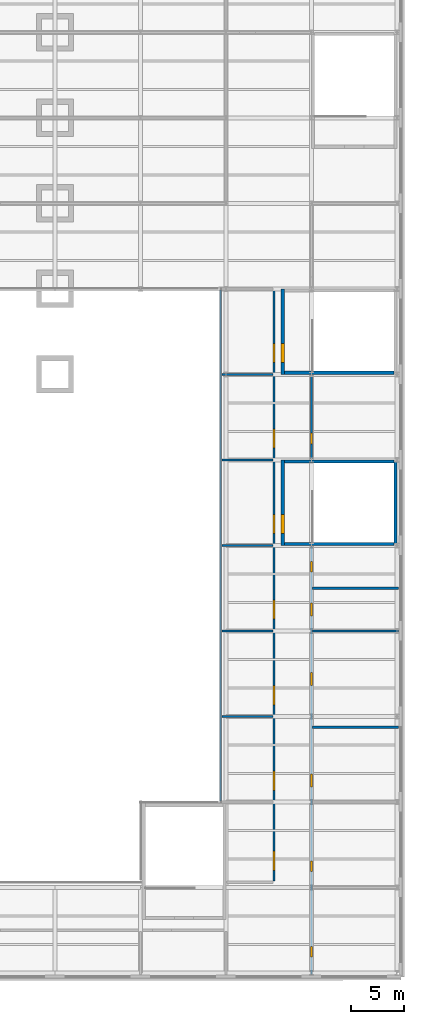
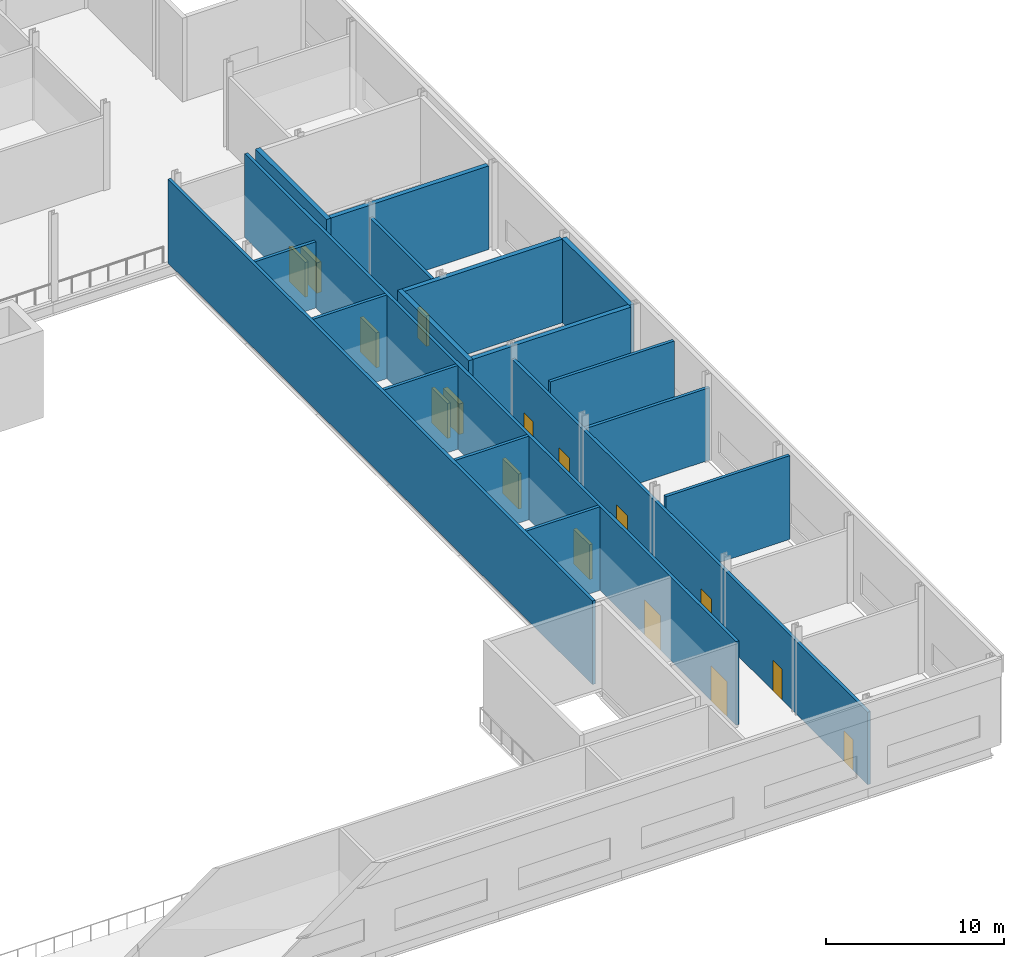
# One storey, part 13 of 21: 18 walls, 16 doors, 16 openings.
"""IFC4 building model written with IfcOpenShell, lengths in metres."""

from ifc_helpers import new_model, si_unit, direction, frame, frame_2d, origin, place, context, subcontext, project, spatial, rectangle, extrude, material, layer, layer_set, type_object, element, fill, save


model = new_model("IFC4")

# Units and contexts
model_context = context("Model", 3, precision=1e-05, world=origin(), true_north=direction((0.0, 1.0)))
body_context = subcontext(model_context, "Body", "Model", "MODEL_VIEW")
ifc_project = project(units=[si_unit("LENGTHUNIT", "METRE"), si_unit("AREAUNIT", "SQUARE_METRE"), si_unit("VOLUMEUNIT", "CUBIC_METRE"), si_unit("PLANEANGLEUNIT", "RADIAN"), si_unit("MASSUNIT", "GRAM", prefix="KILO")], contexts=[model_context])

# Site, building, storey
site_placement = place(None, origin())
site = spatial("IfcSite", under=ifc_project, at=site_placement, CompositionType="ELEMENT")
building_placement = place(site_placement, origin())
building = spatial("IfcBuilding", under=site, at=building_placement, Name="Daluyong Arena Tower", CompositionType="ELEMENT")
storey_placement = place(building_placement, frame((0.0, 0.0, 19.89990234375)))
storey = spatial("IfcBuildingStorey", under=building, at=storey_placement, Name="L04", CompositionType="ELEMENT", Elevation=19.89990234375)

# Walls
ifc_material_1 = material(Name="Concrete block partition", Category="concrete")
ifc_layer_1 = layer(ifc_material_1, 0.199951171875)
ifc_layer_set_1 = layer_set([ifc_layer_1], Name="Concrete block partition")
wall_type_1 = type_object("IfcWallType", Name="Partition 200", PredefinedType="PARTITIONING", material=ifc_layer_set_1)
wall_1_placement = place(storey_placement, frame((104.10009765625, 23.0, 0.0), z_axis=(0.0, 0.0, 1.0), x_axis=(1.0, 0.0, 0.0)))
element("IfcWall", 1, at=wall_1_placement, inside=storey, type_object=wall_type_1, Name="partition at L04", PredefinedType="PARTITIONING", context=body_context, shape_type="SweptSolid", body=[
    extrude(rectangle(XDim=8.0498046875, YDim=0.199951171875, at=frame_2d((4.02490234375, 0.0))), origin(), (0.0, 0.0, 1.0), 5.75),
])
for number, where, z_axis, x_axis, name in (
    (2, (95.60009765625, 24.0, 0.0), (0.0, 0.0, 1.0), (1.0, 0.0, 0.0), "partition at L04"),
    (3, (95.60009765625, 32.0, 0.0), (0.0, 0.0, 1.0), (1.0, 0.0, 0.0), "partition at L04"),
):
    element("IfcWall", number, at=place(storey_placement, frame(where, z_axis=z_axis, x_axis=x_axis)), inside=storey, type_object=wall_type_1, Name=name, PredefinedType="PARTITIONING", context=body_context, shape_type="SweptSolid", body=[
        extrude(rectangle(XDim=4.7998046875, YDim=0.199951171875, at=frame_2d((2.39990234375, 0.0))), origin(), (0.0, 0.0, 1.0), 5.75),
    ])
wall_2_placement = place(storey_placement, frame((104.10009765625, 32.0, 0.0), z_axis=(0.0, 0.0, 1.0), x_axis=(1.0, 0.0, 0.0)))
element("IfcWall", 4, at=wall_2_placement, inside=storey, type_object=wall_type_1, Name="partition at L04", PredefinedType="PARTITIONING", context=body_context, shape_type="SweptSolid", body=[
    extrude(rectangle(XDim=8.0498046875, YDim=0.199951171875, at=frame_2d((4.02490234375, 0.0))), origin(), (0.0, 0.0, 1.0), 4.977783203125),
])
wall_3_placement = place(storey_placement, frame((104.10009765625, 36.0, 0.0), z_axis=(0.0, 0.0, 1.0), x_axis=(1.0, 0.0, 0.0)))
element("IfcWall", 5, at=wall_3_placement, inside=storey, type_object=wall_type_1, Name="partition at L04", PredefinedType="PARTITIONING", context=body_context, shape_type="SweptSolid", body=[
    extrude(rectangle(XDim=8.0498046875, YDim=0.199951171875, at=frame_2d((4.02490234375, 0.0))), origin(), (0.0, 0.0, 1.0), 5.75),
])
for number, where, z_axis, x_axis, name in (
    (6, (95.60009765625, 40.0, 0.0), (0.0, 0.0, 1.0), (1.0, 0.0, 0.0), "partition at L04"),
    (7, (95.60009765625, 48.0, 0.0), (0.0, 0.0, 1.0), (1.0, 0.0, 0.0), "partition at L04"),
):
    element("IfcWall", number, at=place(storey_placement, frame(where, z_axis=z_axis, x_axis=x_axis)), inside=storey, type_object=wall_type_1, Name=name, PredefinedType="PARTITIONING", context=body_context, shape_type="SweptSolid", body=[
        extrude(rectangle(XDim=4.7998046875, YDim=0.199951171875, at=frame_2d((2.39990234375, 0.0))), origin(), (0.0, 0.0, 1.0), 5.75),
    ])
wall_4_placement = place(storey_placement, frame((95.60009765625, 56.0, 0.0), z_axis=(0.0, 0.0, 1.0), x_axis=(1.0, 0.0, 0.0)))
element("IfcWall", 8, at=wall_4_placement, inside=storey, type_object=wall_type_1, Name="partition at L04", PredefinedType="PARTITIONING", context=body_context, shape_type="SweptSolid", body=[
    extrude(rectangle(XDim=4.7998046875, YDim=0.199951171875, at=frame_2d((2.39990234375, 0.0))), origin(), (0.0, 0.0, 1.0), 4.550048828125),
])
wall_5_placement = place(storey_placement, frame((95.5, 16.10009765625, 0.0), z_axis=(0.0, 0.0, 1.0), x_axis=(0.0, 1.0, 0.0)))
element("IfcWall", 9, at=wall_5_placement, inside=storey, type_object=wall_type_1, Name="partition at L04", PredefinedType="PARTITIONING", context=body_context, shape_type="SweptSolid", body=[
    extrude(rectangle(XDim=47.7998046875, YDim=0.199951171875, at=frame_2d((23.89990234375, 0.0))), origin(), (0.0, 0.0, 1.0), 5.75),
])

# Wall, openings, doors
wall_6_placement = place(storey_placement, frame((100.5, 8.60009765625, 0.0), z_axis=(0.0, 0.0, 1.0), x_axis=(0.0, 1.0, 0.0)))
wall_6 = element("IfcWall", 10, at=wall_6_placement, inside=storey, type_object=wall_type_1, Name="partition at L04", PredefinedType="PARTITIONING", context=body_context, shape_type="SweptSolid", body=[
    extrude(rectangle(XDim=55.2998046875, YDim=0.199951171875, at=frame_2d((27.64990234375, 0.0))), origin(), (0.0, 0.0, 1.0), 5.75),
])
opening_1_placement = place(wall_6_placement, frame((1.0, 0.0, 0.0)))
opening_1 = element("IfcOpeningElement", 11, at=opening_1_placement, cuts=wall_6, Name="Opening 04044", PredefinedType="OPENING", context=body_context, shape_type="SweptSolid", body=[
    extrude(rectangle(XDim=1.800048828125, YDim=2.39990234375, at=frame_2d((0.89990234375, 1.199951171875))), frame((0.0, 0.10986328125, 0.0), z_axis=(0.0, -1.0, 0.0), x_axis=(1.0, 0.0, 0.0)), (0.0, 0.0, 1.0), 0.219970703125),
])
opening_2_placement = place(wall_6_placement, frame((8.5, 0.0, 0.0)))
opening_2 = element("IfcOpeningElement", 12, at=opening_2_placement, cuts=wall_6, Name="Opening 04051", PredefinedType="OPENING", context=body_context, shape_type="SweptSolid", body=[
    extrude(rectangle(XDim=1.800048828125, YDim=2.39990234375, at=frame_2d((0.89990234375, 1.199951171875))), frame((0.0, 0.10986328125, 0.0), z_axis=(0.0, -1.0, 0.0), x_axis=(1.0, 0.0, 0.0)), (0.0, 0.0, 1.0), 0.219970703125),
])
opening_3_placement = place(wall_6_placement, frame((16.5, 0.0, 0.0)))
opening_3 = element("IfcOpeningElement", 13, at=opening_3_placement, cuts=wall_6, Name="Opening 04052", PredefinedType="OPENING", context=body_context, shape_type="SweptSolid", body=[
    extrude(rectangle(XDim=1.800048828125, YDim=2.39990234375, at=frame_2d((0.89990234375, 1.199951171875))), frame((0.0, 0.10986328125, 0.0), z_axis=(0.0, -1.0, 0.0), x_axis=(1.0, 0.0, 0.0)), (0.0, 0.0, 1.0), 0.219970703125),
])
opening_4_placement = place(wall_6_placement, frame((24.5, 0.0, 0.0)))
opening_4 = element("IfcOpeningElement", 14, at=opening_4_placement, cuts=wall_6, Name="Opening 04053", PredefinedType="OPENING", context=body_context, shape_type="SweptSolid", body=[
    extrude(rectangle(XDim=1.800048828125, YDim=2.39990234375, at=frame_2d((0.89990234375, 1.199951171875))), frame((0.0, 0.10986328125, 0.0), z_axis=(0.0, -1.0, 0.0), x_axis=(1.0, 0.0, 0.0)), (0.0, 0.0, 1.0), 0.219970703125),
])
opening_5_placement = place(wall_6_placement, frame((32.5, 0.0, 0.0)))
opening_5 = element("IfcOpeningElement", 15, at=opening_5_placement, cuts=wall_6, Name="Opening 04054", PredefinedType="OPENING", context=body_context, shape_type="SweptSolid", body=[
    extrude(rectangle(XDim=1.800048828125, YDim=2.39990234375, at=frame_2d((0.89990234375, 1.199951171875))), frame((0.0, 0.10986328125, 0.0), z_axis=(0.0, -1.0, 0.0), x_axis=(1.0, 0.0, 0.0)), (0.0, 0.0, 1.0), 0.219970703125),
])
opening_6_placement = place(wall_6_placement, frame((40.5, 0.0, 0.0)))
opening_6 = element("IfcOpeningElement", 16, at=opening_6_placement, cuts=wall_6, Name="Opening 04055", PredefinedType="OPENING", context=body_context, shape_type="SweptSolid", body=[
    extrude(rectangle(XDim=1.800048828125, YDim=2.39990234375, at=frame_2d((0.89990234375, 1.199951171875))), frame((0.0, 0.10986328125, 0.0), z_axis=(0.0, -1.0, 0.0), x_axis=(1.0, 0.0, 0.0)), (0.0, 0.0, 1.0), 0.219970703125),
])
opening_7_placement = place(wall_6_placement, frame((48.5, 0.0, 0.0)))
opening_7 = element("IfcOpeningElement", 17, at=opening_7_placement, cuts=wall_6, Name="Opening 04056", PredefinedType="OPENING", context=body_context, shape_type="SweptSolid", body=[
    extrude(rectangle(XDim=1.800048828125, YDim=2.39990234375, at=frame_2d((0.89990234375, 1.199951171875))), frame((0.0, 0.10986328125, 0.0), z_axis=(0.0, -1.0, 0.0), x_axis=(1.0, 0.0, 0.0)), (0.0, 0.0, 1.0), 0.219970703125),
])
ifc_material_2 = material(Name="Timber door", Category="wood")
door_type_1 = type_object("IfcDoorType", Name="Assembly double door 1800", OperationType="DOUBLE_DOOR_DOUBLE_SWING", PredefinedType="DOOR", material=ifc_material_2)
door_1_placement = place(opening_1_placement, origin())
door_1 = element("IfcDoor", 18, at=door_1_placement, inside=storey, type_object=door_type_1, Name="party suite door 04044", OperationType="DOUBLE_DOOR_DOUBLE_SWING", OverallHeight=2.39990234375, OverallWidth=1.800048828125, PredefinedType="DOOR", context=body_context, shape_type="SweptSolid", body=[
    extrude(rectangle(XDim=1.800048828125, YDim=2.39990234375, at=frame_2d((0.89990234375, 1.199951171875))), frame((0.0, 0.099609375, 0.0), z_axis=(0.0, -1.0, 0.0), x_axis=(1.0, 0.0, 0.0)), (0.0, 0.0, 1.0), 0.199462890625),
])
fill(opening_1, door_1)
door_2_placement = place(opening_2_placement, origin())
door_2 = element("IfcDoor", 19, at=door_2_placement, inside=storey, type_object=door_type_1, Name="party suite door 04051", OperationType="DOUBLE_DOOR_DOUBLE_SWING", OverallHeight=2.39990234375, OverallWidth=1.800048828125, PredefinedType="DOOR", context=body_context, shape_type="SweptSolid", body=[
    extrude(rectangle(XDim=1.800048828125, YDim=2.39990234375, at=frame_2d((0.89990234375, 1.199951171875))), frame((0.0, 0.099609375, 0.0), z_axis=(0.0, -1.0, 0.0), x_axis=(1.0, 0.0, 0.0)), (0.0, 0.0, 1.0), 0.199462890625),
])
fill(opening_2, door_2)
door_3_placement = place(opening_3_placement, origin())
door_3 = element("IfcDoor", 20, at=door_3_placement, inside=storey, type_object=door_type_1, Name="party suite door 04052", OperationType="DOUBLE_DOOR_DOUBLE_SWING", OverallHeight=2.39990234375, OverallWidth=1.800048828125, PredefinedType="DOOR", context=body_context, shape_type="SweptSolid", body=[
    extrude(rectangle(XDim=1.800048828125, YDim=2.39990234375, at=frame_2d((0.89990234375, 1.199951171875))), frame((0.0, 0.099609375, 0.0), z_axis=(0.0, -1.0, 0.0), x_axis=(1.0, 0.0, 0.0)), (0.0, 0.0, 1.0), 0.199462890625),
])
fill(opening_3, door_3)
door_4_placement = place(opening_4_placement, origin())
door_4 = element("IfcDoor", 21, at=door_4_placement, inside=storey, type_object=door_type_1, Name="party suite door 04053", OperationType="DOUBLE_DOOR_DOUBLE_SWING", OverallHeight=2.39990234375, OverallWidth=1.800048828125, PredefinedType="DOOR", context=body_context, shape_type="SweptSolid", body=[
    extrude(rectangle(XDim=1.800048828125, YDim=2.39990234375, at=frame_2d((0.89990234375, 1.199951171875))), frame((0.0, 0.099609375, 0.0), z_axis=(0.0, -1.0, 0.0), x_axis=(1.0, 0.0, 0.0)), (0.0, 0.0, 1.0), 0.199462890625),
])
fill(opening_4, door_4)
door_5_placement = place(opening_5_placement, origin())
door_5 = element("IfcDoor", 22, at=door_5_placement, inside=storey, type_object=door_type_1, Name="party suite door 04054", OperationType="DOUBLE_DOOR_DOUBLE_SWING", OverallHeight=2.39990234375, OverallWidth=1.800048828125, PredefinedType="DOOR", context=body_context, shape_type="SweptSolid", body=[
    extrude(rectangle(XDim=1.800048828125, YDim=2.39990234375, at=frame_2d((0.89990234375, 1.199951171875))), frame((0.0, 0.099609375, 0.0), z_axis=(0.0, -1.0, 0.0), x_axis=(1.0, 0.0, 0.0)), (0.0, 0.0, 1.0), 0.199462890625),
])
fill(opening_5, door_5)
door_6_placement = place(opening_6_placement, origin())
door_6 = element("IfcDoor", 23, at=door_6_placement, inside=storey, type_object=door_type_1, Name="party suite door 04055", OperationType="DOUBLE_DOOR_DOUBLE_SWING", OverallHeight=2.39990234375, OverallWidth=1.800048828125, PredefinedType="DOOR", context=body_context, shape_type="SweptSolid", body=[
    extrude(rectangle(XDim=1.800048828125, YDim=2.39990234375, at=frame_2d((0.89990234375, 1.199951171875))), frame((0.0, 0.099609375, 0.0), z_axis=(0.0, -1.0, 0.0), x_axis=(1.0, 0.0, 0.0)), (0.0, 0.0, 1.0), 0.199462890625),
])
fill(opening_6, door_6)
door_7_placement = place(opening_7_placement, origin())
door_7 = element("IfcDoor", 24, at=door_7_placement, inside=storey, type_object=door_type_1, Name="party suite door 04056", OperationType="DOUBLE_DOOR_DOUBLE_SWING", OverallHeight=2.39990234375, OverallWidth=1.800048828125, PredefinedType="DOOR", context=body_context, shape_type="SweptSolid", body=[
    extrude(rectangle(XDim=1.800048828125, YDim=2.39990234375, at=frame_2d((0.89990234375, 1.199951171875))), frame((0.0, 0.099609375, 0.0), z_axis=(0.0, -1.0, 0.0), x_axis=(1.0, 0.0, 0.0)), (0.0, 0.0, 1.0), 0.199462890625),
])
fill(opening_7, door_7)

wall_7_placement = place(storey_placement, frame((104.0, -0.14990234375, 0.0), z_axis=(0.0, 0.0, 1.0), x_axis=(0.0, 1.0, 0.0)))
wall_7 = element("IfcWall", 25, at=wall_7_placement, inside=storey, type_object=wall_type_1, Name="partition at L04", PredefinedType="PARTITIONING", context=body_context, shape_type="SweptSolid", body=[
    extrude(rectangle(XDim=40.0498046875, YDim=0.199951171875, at=frame_2d((20.02490234375, 0.0))), origin(), (0.0, 0.0, 1.0), 4.977783203125),
])
opening_8_placement = place(wall_7_placement, frame((17.550048828125, 0.0, 0.0)))
opening_8 = element("IfcOpeningElement", 26, at=opening_8_placement, cuts=wall_7, Name="Opening 04026", PredefinedType="OPENING", context=body_context, shape_type="SweptSolid", body=[
    extrude(rectangle(XDim=1.199951171875, YDim=2.10009765625, at=frame_2d((0.60009765625, 1.050048828125))), frame((0.0, 0.10986328125, 0.0), z_axis=(0.0, -1.0, 0.0), x_axis=(1.0, 0.0, 0.0)), (0.0, 0.0, 1.0), 0.219970703125),
])
opening_9_placement = place(wall_7_placement, frame((27.050048828125, 0.0, 0.0)))
opening_9 = element("IfcOpeningElement", 27, at=opening_9_placement, cuts=wall_7, Name="Opening 04027", PredefinedType="OPENING", context=body_context, shape_type="SweptSolid", body=[
    extrude(rectangle(XDim=1.199951171875, YDim=2.10009765625, at=frame_2d((0.60009765625, 1.050048828125))), frame((0.0, 0.10986328125, 0.0), z_axis=(0.0, -1.0, 0.0), x_axis=(1.0, 0.0, 0.0)), (0.0, 0.0, 1.0), 0.219970703125),
])
opening_10_placement = place(wall_7_placement, frame((33.550048828125, 0.0, 0.0)))
opening_10 = element("IfcOpeningElement", 28, at=opening_10_placement, cuts=wall_7, Name="Opening 04028", PredefinedType="OPENING", context=body_context, shape_type="SweptSolid", body=[
    extrude(rectangle(XDim=1.199951171875, YDim=2.10009765625, at=frame_2d((0.60009765625, 1.050048828125))), frame((0.0, 0.10986328125, 0.0), z_axis=(0.0, -1.0, 0.0), x_axis=(1.0, 0.0, 0.0)), (0.0, 0.0, 1.0), 0.219970703125),
])
opening_11_placement = place(wall_7_placement, frame((1.64990234375, 0.0, 0.0)))
opening_11 = element("IfcOpeningElement", 29, at=opening_11_placement, cuts=wall_7, Name="Opening 04030", PredefinedType="OPENING", context=body_context, shape_type="SweptSolid", body=[
    extrude(rectangle(XDim=1.0, YDim=2.10009765625, at=frame_2d((0.5, 1.050048828125))), frame((0.0, 0.10986328125, 0.0), z_axis=(0.0, -1.0, 0.0), x_axis=(1.0, 0.0, 0.0)), (0.0, 0.0, 1.0), 0.219970703125),
])
opening_12_placement = place(wall_7_placement, frame((9.64990234375, 0.0, 0.0)))
opening_12 = element("IfcOpeningElement", 30, at=opening_12_placement, cuts=wall_7, Name="Opening 04040", PredefinedType="OPENING", context=body_context, shape_type="SweptSolid", body=[
    extrude(rectangle(XDim=1.0, YDim=2.10009765625, at=frame_2d((0.5, 1.050048828125))), frame((0.0, 0.10986328125, 0.0), z_axis=(0.0, -1.0, 0.0), x_axis=(1.0, 0.0, 0.0)), (0.0, 0.0, 1.0), 0.219970703125),
])
opening_13_placement = place(wall_7_placement, frame((37.64990234375, 0.0, 0.0)))
opening_13 = element("IfcOpeningElement", 31, at=opening_13_placement, cuts=wall_7, Name="Opening 04042", PredefinedType="OPENING", context=body_context, shape_type="SweptSolid", body=[
    extrude(rectangle(XDim=1.0, YDim=2.10009765625, at=frame_2d((0.5, 1.050048828125))), frame((0.0, 0.10986328125, 0.0), z_axis=(0.0, -1.0, 0.0), x_axis=(1.0, 0.0, 0.0)), (0.0, 0.0, 1.0), 0.219970703125),
])
ifc_material_3 = material(Name="Timber door", Category="wood")
door_type_2 = type_object("IfcDoorType", Name="Room door 1000", OperationType="SINGLE_SWING_LEFT", PredefinedType="DOOR", material=ifc_material_3)
door_8_placement = place(opening_11_placement, origin())
door_8 = element("IfcDoor", 32, at=door_8_placement, inside=storey, type_object=door_type_2, Name="food and beverage kiosk door 04030", OperationType="SINGLE_SWING_LEFT", OverallHeight=2.10009765625, OverallWidth=1.0, PredefinedType="DOOR", context=body_context, shape_type="SweptSolid", body=[
    extrude(rectangle(XDim=1.0, YDim=2.10009765625, at=frame_2d((0.5, 1.050048828125))), frame((0.0, 0.099609375, 0.0), z_axis=(0.0, -1.0, 0.0), x_axis=(1.0, 0.0, 0.0)), (0.0, 0.0, 1.0), 0.199462890625),
])
fill(opening_11, door_8)
door_9_placement = place(opening_12_placement, origin())
door_9 = element("IfcDoor", 33, at=door_9_placement, inside=storey, type_object=door_type_2, Name="food and beverage kiosk door 04040", OperationType="SINGLE_SWING_LEFT", OverallHeight=2.10009765625, OverallWidth=1.0, PredefinedType="DOOR", context=body_context, shape_type="SweptSolid", body=[
    extrude(rectangle(XDim=1.0, YDim=2.10009765625, at=frame_2d((0.5, 1.050048828125))), frame((0.0, 0.099609375, 0.0), z_axis=(0.0, -1.0, 0.0), x_axis=(1.0, 0.0, 0.0)), (0.0, 0.0, 1.0), 0.199462890625),
])
fill(opening_12, door_9)
door_10_placement = place(opening_13_placement, origin())
door_10 = element("IfcDoor", 34, at=door_10_placement, inside=storey, type_object=door_type_2, Name="food and beverage kiosk door 04042", OperationType="SINGLE_SWING_LEFT", OverallHeight=2.10009765625, OverallWidth=1.0, PredefinedType="DOOR", context=body_context, shape_type="SweptSolid", body=[
    extrude(rectangle(XDim=1.0, YDim=2.10009765625, at=frame_2d((0.5, 1.050048828125))), frame((0.0, 0.099609375, 0.0), z_axis=(0.0, -1.0, 0.0), x_axis=(1.0, 0.0, 0.0)), (0.0, 0.0, 1.0), 0.199462890625),
])
fill(opening_13, door_10)
ifc_material_4 = material(Name="Timber door", Category="wood")
door_type_3 = type_object("IfcDoorType", Name="Toilet entry door 1200", OperationType="SINGLE_SWING_RIGHT", PredefinedType="DOOR", material=ifc_material_4)
door_11_placement = place(opening_8_placement, origin())
door_11 = element("IfcDoor", 35, at=door_11_placement, inside=storey, type_object=door_type_3, Name="male toilet door 04026", OperationType="SINGLE_SWING_RIGHT", OverallHeight=2.10009765625, OverallWidth=1.199951171875, PredefinedType="DOOR", context=body_context, shape_type="SweptSolid", body=[
    extrude(rectangle(XDim=1.199951171875, YDim=2.10009765625, at=frame_2d((0.60009765625, 1.050048828125))), frame((0.0, 0.099609375, 0.0), z_axis=(0.0, -1.0, 0.0), x_axis=(1.0, 0.0, 0.0)), (0.0, 0.0, 1.0), 0.199462890625),
])
fill(opening_8, door_11)
door_12_placement = place(opening_9_placement, origin())
door_12 = element("IfcDoor", 36, at=door_12_placement, inside=storey, type_object=door_type_3, Name="female toilet door 04027", OperationType="SINGLE_SWING_RIGHT", OverallHeight=2.10009765625, OverallWidth=1.199951171875, PredefinedType="DOOR", context=body_context, shape_type="SweptSolid", body=[
    extrude(rectangle(XDim=1.199951171875, YDim=2.10009765625, at=frame_2d((0.60009765625, 1.050048828125))), frame((0.0, 0.099609375, 0.0), z_axis=(0.0, -1.0, 0.0), x_axis=(1.0, 0.0, 0.0)), (0.0, 0.0, 1.0), 0.199462890625),
])
fill(opening_9, door_12)
door_13_placement = place(opening_10_placement, origin())
door_13 = element("IfcDoor", 37, at=door_13_placement, inside=storey, type_object=door_type_3, Name="accessible toilet door 04028", OperationType="SINGLE_SWING_RIGHT", OverallHeight=2.10009765625, OverallWidth=1.199951171875, PredefinedType="DOOR", context=body_context, shape_type="SweptSolid", body=[
    extrude(rectangle(XDim=1.199951171875, YDim=2.10009765625, at=frame_2d((0.60009765625, 1.050048828125))), frame((0.0, 0.099609375, 0.0), z_axis=(0.0, -1.0, 0.0), x_axis=(1.0, 0.0, 0.0)), (0.0, 0.0, 1.0), 0.199462890625),
])
fill(opening_10, door_13)

# Wall, opening, door
wall_8_placement = place(storey_placement, frame((104.0, 48.10009765625, 0.0), z_axis=(0.0, 0.0, 1.0), x_axis=(0.0, 1.0, 0.0)))
wall_8 = element("IfcWall", 38, at=wall_8_placement, inside=storey, type_object=wall_type_1, Name="partition at L04", PredefinedType="PARTITIONING", context=body_context, shape_type="SweptSolid", body=[
    extrude(rectangle(XDim=7.7998046875, YDim=0.199951171875, at=frame_2d((3.89990234375, 0.0))), origin(), (0.0, 0.0, 1.0), 4.977783203125),
])
opening_14_placement = place(wall_8_placement, frame((1.39990234375, 0.0, 0.0)))
opening_14 = element("IfcOpeningElement", 39, at=opening_14_placement, cuts=wall_8, Name="Opening 04034", PredefinedType="OPENING", context=body_context, shape_type="SweptSolid", body=[
    extrude(rectangle(XDim=1.0, YDim=2.10009765625, at=frame_2d((0.5, 1.050048828125))), frame((0.0, 0.10986328125, 0.0), z_axis=(0.0, -1.0, 0.0), x_axis=(1.0, 0.0, 0.0)), (0.0, 0.0, 1.0), 0.219970703125),
])
door_14_placement = place(opening_14_placement, origin())
door_14 = element("IfcDoor", 40, at=door_14_placement, inside=storey, type_object=door_type_2, Name="food and beverage kiosk door 04034", OperationType="SINGLE_SWING_LEFT", OverallHeight=2.10009765625, OverallWidth=1.0, PredefinedType="DOOR", context=body_context, shape_type="SweptSolid", body=[
    extrude(rectangle(XDim=1.0, YDim=2.10009765625, at=frame_2d((0.5, 1.050048828125))), frame((0.0, 0.099609375, 0.0), z_axis=(0.0, -1.0, 0.0), x_axis=(1.0, 0.0, 0.0)), (0.0, 0.0, 1.0), 0.199462890625),
])
fill(opening_14, door_14)

ifc_material_5 = material(Name="Concrete fc' 35 MPa", Category="concrete")
ifc_layer_2 = layer(ifc_material_5, 0.300048828125)
ifc_layer_set_2 = layer_set([ifc_layer_2], Name="Concrete fc' 35 MPa")
wall_type_2 = type_object("IfcWallType", Name="Stair enclosure wall 300", PredefinedType="SOLIDWALL", material=ifc_layer_set_2)
wall_9_placement = place(storey_placement, frame((101.300048828125, 40.0, 0.0), z_axis=(0.0, 0.0, 1.0), x_axis=(0.0, 1.0, 0.0)))
wall_9 = element("IfcWall", 41, at=wall_9_placement, inside=storey, type_object=wall_type_2, Name="exit stair PS4 enclosure", PredefinedType="SOLIDWALL", context=body_context, shape_type="SweptSolid", body=[
    extrude(rectangle(XDim=8.0, YDim=0.300048828125, at=frame_2d((4.0, 0.0))), origin(), (0.0, 0.0, 1.0), 5.75),
])
opening_15_placement = place(wall_9_placement, frame((1.10009765625, 0.0, 0.0)))
opening_15 = element("IfcOpeningElement", 42, at=opening_15_placement, cuts=wall_9, Name="Opening 04018", PredefinedType="OPENING", context=body_context, shape_type="SweptSolid", body=[
    extrude(rectangle(XDim=1.800048828125, YDim=2.10009765625, at=frame_2d((0.89990234375, 1.050048828125))), frame((0.0, 0.159912109375, 0.0), z_axis=(0.0, -1.0, 0.0), x_axis=(1.0, 0.0, 0.0)), (0.0, 0.0, 1.0), 0.320068359375),
])
ifc_material_6 = material(Name="Steel door, fire rated", Category="steel")
door_type_4 = type_object("IfcDoorType", Name="Exit stair double door 1800", OperationType="DOUBLE_DOOR_SINGLE_SWING", PredefinedType="DOOR", material=ifc_material_6)
door_15_placement = place(opening_15_placement, origin())
door_15 = element("IfcDoor", 43, at=door_15_placement, inside=storey, type_object=door_type_4, Name="exit stair PS4 door 04018", OperationType="DOUBLE_DOOR_SINGLE_SWING", OverallHeight=2.10009765625, OverallWidth=1.800048828125, PredefinedType="DOOR", context=body_context, shape_type="SweptSolid", body=[
    extrude(rectangle(XDim=1.800048828125, YDim=2.10009765625, at=frame_2d((0.89990234375, 1.050048828125))), frame((0.0, 0.14990234375, 0.0), z_axis=(0.0, -1.0, 0.0), x_axis=(1.0, 0.0, 0.0)), (0.0, 0.0, 1.0), 0.299560546875),
])
fill(opening_15, door_15)

# Walls
wall_10_placement = place(storey_placement, frame((111.85009765625, 40.193115234375, 0.0), z_axis=(0.0, 0.0, 1.0), x_axis=(0.0, 1.0, 0.0)))
element("IfcWall", 44, at=wall_10_placement, inside=storey, type_object=wall_type_2, Name="exit stair PS4 enclosure", PredefinedType="SOLIDWALL", context=body_context, shape_type="SweptSolid", body=[
    extrude(rectangle(XDim=7.61376953125, YDim=0.300048828125, at=frame_2d((3.806884765625, 0.0))), origin(), (0.0, 0.0, 1.0), 5.75),
])
for number, where, z_axis, x_axis, name in (
    (45, (101.449951171875, 40.14990234375, 0.0), (0.0, 0.0, 1.0), (1.0, 0.0, 0.0), "exit stair PS4 enclosure"),
    (46, (101.449951171875, 47.85009765625, 0.0), (0.0, 0.0, 1.0), (1.0, 0.0, 0.0), "exit stair PS4 enclosure"),
):
    element("IfcWall", number, at=place(storey_placement, frame(where, z_axis=z_axis, x_axis=x_axis)), inside=storey, type_object=wall_type_2, Name=name, PredefinedType="SOLIDWALL", context=body_context, shape_type="SweptSolid", body=[
        extrude(rectangle(XDim=10.25, YDim=0.300048828125, at=frame_2d((5.125, 0.0))), origin(), (0.0, 0.0, 1.0), 5.75),
    ])

# Wall, opening, door
wall_11_placement = place(storey_placement, frame((101.300048828125, 56.0, 0.0), z_axis=(0.0, 0.0, 1.0), x_axis=(0.0, 1.0, 0.0)))
wall_11 = element("IfcWall", 47, at=wall_11_placement, inside=storey, type_object=wall_type_2, Name="exit stair PS8 enclosure", PredefinedType="SOLIDWALL", context=body_context, shape_type="SweptSolid", body=[
    extrude(rectangle(XDim=8.0, YDim=0.300048828125, at=frame_2d((4.0, 0.0))), origin(), (0.0, 0.0, 1.0), 5.75),
])
opening_16_placement = place(wall_11_placement, frame((1.10009765625, 0.0, 0.0)))
opening_16 = element("IfcOpeningElement", 48, at=opening_16_placement, cuts=wall_11, Name="Opening 04022", PredefinedType="OPENING", context=body_context, shape_type="SweptSolid", body=[
    extrude(rectangle(XDim=1.800048828125, YDim=2.10009765625, at=frame_2d((0.89990234375, 1.050048828125))), frame((0.0, 0.159912109375, 0.0), z_axis=(0.0, -1.0, 0.0), x_axis=(1.0, 0.0, 0.0)), (0.0, 0.0, 1.0), 0.320068359375),
])
door_16_placement = place(opening_16_placement, origin())
door_16 = element("IfcDoor", 49, at=door_16_placement, inside=storey, type_object=door_type_4, Name="exit stair PS8 door 04022", OperationType="DOUBLE_DOOR_SINGLE_SWING", OverallHeight=2.10009765625, OverallWidth=1.800048828125, PredefinedType="DOOR", context=body_context, shape_type="SweptSolid", body=[
    extrude(rectangle(XDim=1.800048828125, YDim=2.10009765625, at=frame_2d((0.89990234375, 1.050048828125))), frame((0.0, 0.14990234375, 0.0), z_axis=(0.0, -1.0, 0.0), x_axis=(1.0, 0.0, 0.0)), (0.0, 0.0, 1.0), 0.299560546875),
])
fill(opening_16, door_16)

# Wall
wall_12_placement = place(storey_placement, frame((101.449951171875, 56.14990234375, 0.0), z_axis=(0.0, 0.0, 1.0), x_axis=(1.0, 0.0, 0.0)))
element("IfcWall", 50, at=wall_12_placement, inside=storey, type_object=wall_type_2, Name="exit stair PS8 enclosure", PredefinedType="SOLIDWALL", context=body_context, shape_type="SweptSolid", body=[
    extrude(rectangle(XDim=10.25, YDim=0.300048828125, at=frame_2d((5.125, 0.0))), origin(), (0.0, 0.0, 1.0), 5.75),
])

save(model, "model.ifc")
